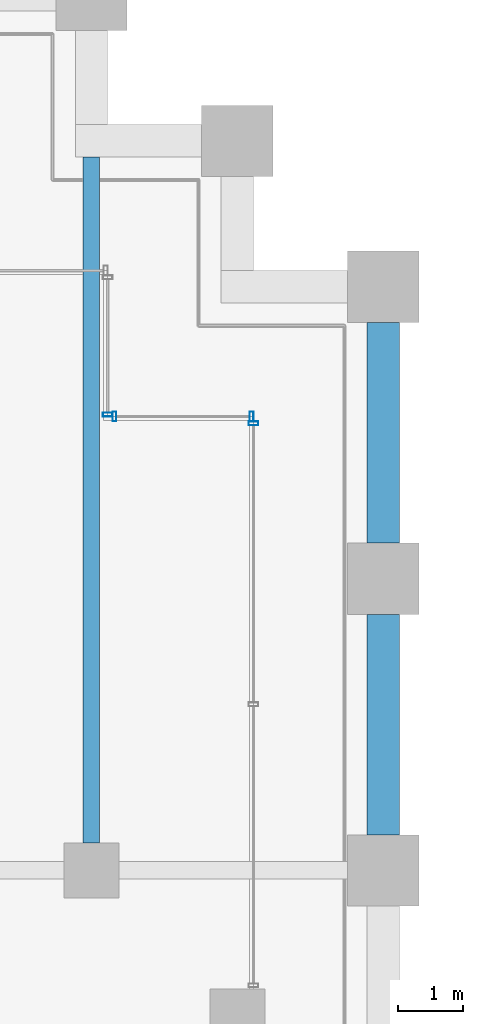
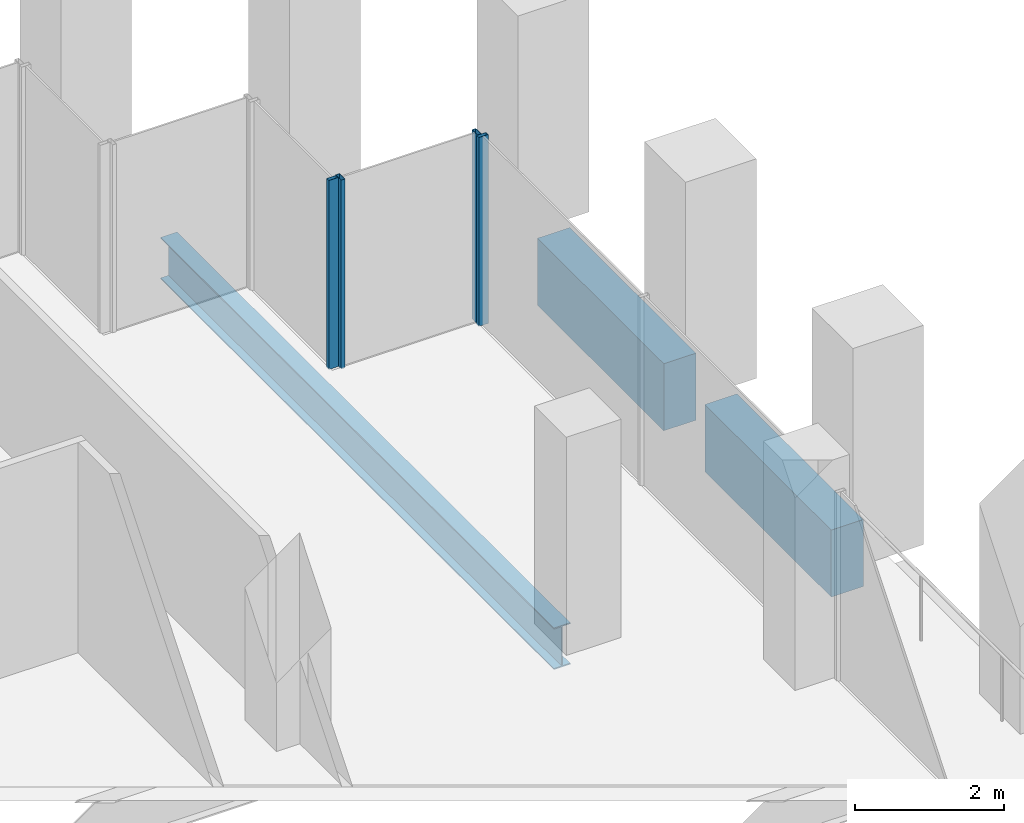
# One storey, part 31 of 54: 4 members, 3 beams, 3 elements without a shape of their own.
"""IFC4 building model written with IfcOpenShell, lengths in metres."""

from ifc_helpers import new_model, si_unit, direction, frame, origin, origin_2d, place, context, subcontext, project, spatial, rectangle, hollow_rectangle, i_section, extrude, material, material_profile, profile_set, type_object, element, aggregate, save


model = new_model("IFC4")

# Units and contexts
model_context = context("Model", 3, precision=1e-05, world=origin(), true_north=direction((0.0, 1.0)))
body_context = subcontext(model_context, "Body", "Model", "MODEL_VIEW")
ifc_project = project(units=[si_unit("LENGTHUNIT", "METRE"), si_unit("AREAUNIT", "SQUARE_METRE"), si_unit("VOLUMEUNIT", "CUBIC_METRE"), si_unit("PLANEANGLEUNIT", "RADIAN"), si_unit("MASSUNIT", "GRAM", prefix="KILO")], contexts=[model_context])

# Site, building, storey
site_placement = place(None, origin())
site = spatial("IfcSite", under=ifc_project, at=site_placement, CompositionType="ELEMENT")
building_placement = place(site_placement, origin())
building = spatial("IfcBuilding", under=site, at=building_placement, Name="Altepetl Exchange Towers", CompositionType="ELEMENT")
storey_placement = place(building_placement, frame((0.0, 0.0, 58.199951171875)))
storey = spatial("IfcBuildingStorey", under=building, at=storey_placement, Name="L13", CompositionType="ELEMENT", Elevation=58.199951171875)

# Beam
ifc_material_1 = material(Name="Steel S355", Category="steel")
ifc_material_profile_1 = material_profile(ifc_material_1, i_section(OverallWidth=0.25390625, OverallDepth=0.68408203125, WebThickness=0.012451171875, FlangeThickness=0.018798828125, at=origin_2d()), Name="W27X94")
ifc_profile_set_1 = profile_set([ifc_material_profile_1], Name="Steel S355")
beam_type_1 = type_object("IfcBeamType", Name="Floor beam W27X94", PredefinedType="BEAM", material=ifc_profile_set_1)
beam_placement = place(storey_placement, frame((67.5, 58.925048828125, -0.491943359375), z_axis=(0.0, 1.0, 0.0), x_axis=(-1.0, 0.0, 0.0)))
element("IfcBeam", 1, at=beam_placement, inside=storey, type_object=beam_type_1, Name="bm:A:L13:005", PredefinedType="BEAM", context=body_context, shape_type="SweptSolid", body=[
    extrude(i_section(OverallWidth=0.25390625, OverallDepth=0.68408203125, WebThickness=0.012451171875, FlangeThickness=0.018798828125, at=origin_2d()), origin(), (0.0, 0.0, 1.0), 10.574951171875),
])

# Curtain wall, member
ifc_material_2 = material(Name="Aluminium 6063-T6 glazing", Category="aluminium")
curtain_wall_type = type_object("IfcCurtainWallType", Name="Loggia glazing system", PredefinedType="NOTDEFINED", material=ifc_material_2)
curtain_wall_1_placement = place(storey_placement, origin())
curtain_wall_1 = element("IfcCurtainWall", 2, at=curtain_wall_1_placement, inside=storey, type_object=curtain_wall_type, Name="CW1 run", PredefinedType="NOTDEFINED")
ifc_material_3 = material(Name="Aluminium 6063-T6", Category="aluminium")
ifc_material_profile_2 = material_profile(ifc_material_3, hollow_rectangle(XDim=0.06005859375, YDim=0.14990234375, WallThickness=0.0029296875, at=origin_2d()), Name="Mullion 60x150 aluminium")
ifc_profile_set_2 = profile_set([ifc_material_profile_2], Name="Aluminium 6063-T6")
member_type = type_object("IfcMemberType", Name="Mullion 60x150 aluminium", PredefinedType="MULLION", material=ifc_profile_set_2)
member_1_placement = place(storey_placement, frame((70.0, 65.39501953125, 0.0), z_axis=(0.0, 0.0, 1.0), x_axis=(0.0, 1.0, 0.0)))
member_1 = element("IfcMember", 3, at=member_1_placement, type_object=member_type, Name="MU1 mullion", PredefinedType="MULLION", context=body_context, shape_type="SweptSolid", body=[
    extrude(hollow_rectangle(XDim=0.06005859375, YDim=0.14990234375, WallThickness=0.0029296875, at=origin_2d()), origin(), (0.0, 0.0, 1.0), 3.10009765625),
])
aggregate(curtain_wall_1, [member_1])

# Curtain wall, members
curtain_wall_2_placement = place(storey_placement, origin())
curtain_wall_2 = element("IfcCurtainWall", 4, at=curtain_wall_2_placement, inside=storey, type_object=curtain_wall_type, Name="CW1 run", PredefinedType="NOTDEFINED")
member_2_placement = place(storey_placement, frame((69.969970703125, 65.5, 0.0), z_axis=(0.0, 0.0, 1.0), x_axis=(-1.0, 0.0, 0.0)))
member_2 = element("IfcMember", 5, at=member_2_placement, type_object=member_type, Name="MU1 mullion", PredefinedType="MULLION", context=body_context, shape_type="SweptSolid", body=[
    extrude(hollow_rectangle(XDim=0.06005859375, YDim=0.14990234375, WallThickness=0.0029296875, at=origin_2d()), origin(), (0.0, 0.0, 1.0), 3.10009765625),
])
member_3_placement = place(storey_placement, frame((67.85498046875, 65.5, 0.0), z_axis=(0.0, 0.0, 1.0), x_axis=(-1.0, 0.0, 0.0)))
member_3 = element("IfcMember", 6, at=member_3_placement, type_object=member_type, Name="MU1 mullion", PredefinedType="MULLION", context=body_context, shape_type="SweptSolid", body=[
    extrude(hollow_rectangle(XDim=0.06005859375, YDim=0.14990234375, WallThickness=0.0029296875, at=origin_2d()), origin(), (0.0, 0.0, 1.0), 3.10009765625),
])
aggregate(curtain_wall_2, [member_2, member_3])

# Curtain wall, member
curtain_wall_3_placement = place(storey_placement, origin())
curtain_wall_3 = element("IfcCurtainWall", 7, at=curtain_wall_3_placement, inside=storey, type_object=curtain_wall_type, Name="CW1 run", PredefinedType="NOTDEFINED")
member_4_placement = place(storey_placement, frame((67.75, 65.530029296875, 0.0), z_axis=(0.0, 0.0, 1.0), x_axis=(0.0, 1.0, 0.0)))
member_4 = element("IfcMember", 8, at=member_4_placement, type_object=member_type, Name="MU1 mullion", PredefinedType="MULLION", context=body_context, shape_type="SweptSolid", body=[
    extrude(hollow_rectangle(XDim=0.06005859375, YDim=0.14990234375, WallThickness=0.0029296875, at=origin_2d()), origin(), (0.0, 0.0, 1.0), 3.10009765625),
])
aggregate(curtain_wall_3, [member_4])

# Beams
ifc_material_4 = material(Name="Concrete C50/60 precast with cantera rosa facing", Category="concrete")
ifc_material_profile_3 = material_profile(ifc_material_4, rectangle(XDim=0.5, YDim=1.10009765625, at=origin_2d()), Name="500 x 1100")
ifc_profile_set_3 = profile_set([ifc_material_profile_3], Name="Concrete C50/60 precast with cantera rosa facing")
beam_type_2 = type_object("IfcBeamType", Name="Spandrel beam 500x1100 cantera rosa", PredefinedType="SPANDREL", material=ifc_profile_set_3)
for number, where, z_axis, x_axis, name in (
    (9, (72.0, 59.050048828125, -0.699951171875), (0.0, 1.0, 0.0), (-1.0, 0.0, 0.0), "sp:A:L13:018"),
    (10, (72.0, 63.550048828125, -0.699951171875), (0.0, 1.0, 0.0), (-1.0, 0.0, 0.0), "sp:A:L13:019"),
):
    element("IfcBeam", number, at=place(storey_placement, frame(where, z_axis=z_axis, x_axis=x_axis)), inside=storey, type_object=beam_type_2, Name=name, PredefinedType="SPANDREL", context=body_context, shape_type="SweptSolid", body=[
        extrude(rectangle(XDim=0.5, YDim=1.10009765625, at=origin_2d()), origin(), (0.0, 0.0, 1.0), 3.39990234375),
    ])

save(model, "model.ifc")
